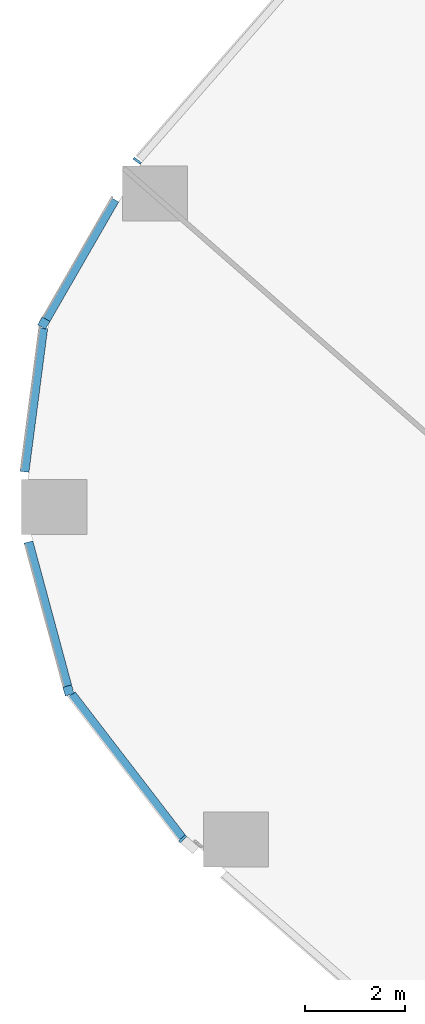
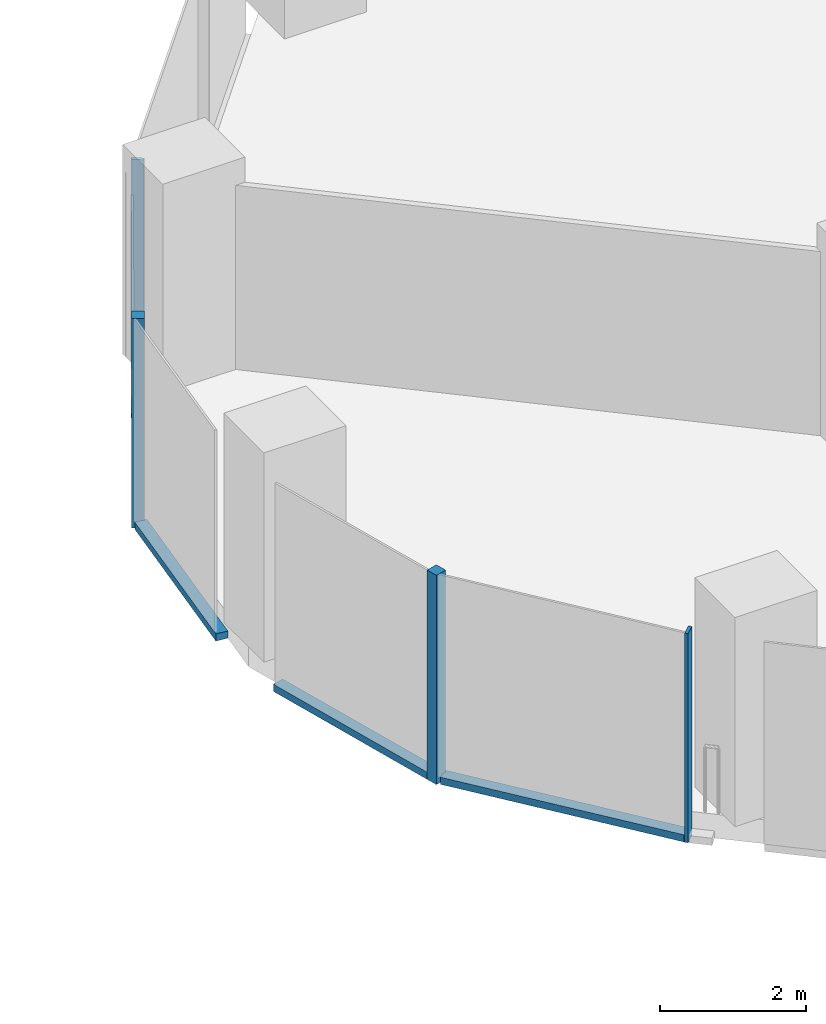
# One storey, part 3 of 38: 8 members, 5 elements without a shape of their own.
"""IFC4 building model written with IfcOpenShell, lengths in metres."""

from ifc_helpers import new_model, si_unit, direction, frame, origin, origin_2d, place, context, subcontext, project, spatial, rectangle, extrude, material, material_profile, profile_set, type_object, element, aggregate, save


model = new_model("IFC4")

# Units and contexts
model_context = context("Model", 3, precision=1e-05, world=origin(), true_north=direction((0.0, 1.0)))
body_context = subcontext(model_context, "Body", "Model", "MODEL_VIEW")
ifc_project = project(units=[si_unit("LENGTHUNIT", "METRE"), si_unit("AREAUNIT", "SQUARE_METRE"), si_unit("VOLUMEUNIT", "CUBIC_METRE"), si_unit("PLANEANGLEUNIT", "RADIAN"), si_unit("MASSUNIT", "GRAM", prefix="KILO")], contexts=[model_context])

# Site, building, storey
site_placement = place(None, origin())
site = spatial("IfcSite", under=ifc_project, at=site_placement, CompositionType="ELEMENT")
building_placement = place(site_placement, origin())
building = spatial("IfcBuilding", under=site, at=building_placement, Name="Orlundy Tower", CompositionType="ELEMENT")
storey_placement = place(building_placement, frame((0.0, 0.0, 65.800048828125)))
storey = spatial("IfcBuildingStorey", under=building, at=storey_placement, Name="L15", CompositionType="ELEMENT", Elevation=65.800048828125)

# Curtain wall, member
ifc_material_1 = material(Name="Aluminium bronze anodised", Category="aluminium")
curtain_wall_type = type_object("IfcCurtainWallType", Name="CW1 wall", PredefinedType="NOTDEFINED", material=ifc_material_1)
curtain_wall_1_placement = place(storey_placement, origin())
curtain_wall_1 = element("IfcCurtainWall", 1, at=curtain_wall_1_placement, inside=storey, type_object=curtain_wall_type, Name="CW1 run 09", PredefinedType="NOTDEFINED")
ifc_material_2 = material(Name="Aluminium bronze anodised", Category="aluminium")
ifc_material_profile_1 = material_profile(ifc_material_2, rectangle(XDim=0.179931640625, YDim=0.179931640625, at=origin_2d()), Name="CW1 corner post 180x180")
ifc_profile_set_1 = profile_set([ifc_material_profile_1], Name="Aluminium bronze anodised")
member_type_1 = type_object("IfcMemberType", Name="CW1 corner post 180x180", PredefinedType="MULLION", material=ifc_profile_set_1)
member_1_placement = place(storey_placement, frame((-49.413330078125, -34.982666015625, -0.400146484375), z_axis=(0.0, 0.0, 1.0), x_axis=(-0.965519317919, -0.260331417091, 0.0)))
member_1 = element("IfcMember", 2, at=member_1_placement, type_object=member_type_1, Name="CW1 mullion 23", PredefinedType="MULLION", context=body_context, shape_type="SweptSolid", body=[
    extrude(rectangle(XDim=0.179931640625, YDim=0.179931640625, at=origin_2d()), origin(), (0.0, 0.0, 1.0), 3.5),
])

curtain_wall_2_placement = place(storey_placement, origin())
curtain_wall_2 = element("IfcCurtainWall", 3, at=curtain_wall_2_placement, inside=storey, type_object=curtain_wall_type, Name="CW1 run 011", PredefinedType="NOTDEFINED")
member_2_placement = place(storey_placement, frame((-49.904052734375, -27.65869140625, -0.400146484375), z_axis=(0.0, 0.0, 1.0), x_axis=(-0.866845089361, 0.498577567738, 0.0)))
member_2 = element("IfcMember", 4, at=member_2_placement, type_object=member_type_1, Name="CW1 mullion 25", PredefinedType="MULLION", context=body_context, shape_type="SweptSolid", body=[
    extrude(rectangle(XDim=0.179931640625, YDim=0.179931640625, at=origin_2d()), origin(), (0.0, 0.0, 1.0), 3.5),
])

curtain_wall_3_placement = place(storey_placement, origin())
curtain_wall_3 = element("IfcCurtainWall", 5, at=curtain_wall_3_placement, inside=storey, type_object=curtain_wall_type, Name="CW1 run 08", PredefinedType="NOTDEFINED")
ifc_material_3 = material(Name="Aluminium bronze anodised", Category="aluminium")
ifc_material_profile_2 = material_profile(ifc_material_3, rectangle(XDim=0.179931640625, YDim=0.050048828125, at=origin_2d()), Name="CW1 mullion 50x180")
ifc_profile_set_2 = profile_set([ifc_material_profile_2], Name="Aluminium bronze anodised")
member_type_2 = type_object("IfcMemberType", Name="CW1 mullion 50x180", PredefinedType="MULLION", material=ifc_profile_set_2)
member_3_placement = place(storey_placement, frame((-47.135986328125, -37.94189453125, -0.400146484375), z_axis=(0.0, 0.0, 1.0), x_axis=(-0.728888590013, -0.684632327128, 0.0)))
member_3 = element("IfcMember", 6, at=member_3_placement, type_object=member_type_2, Name="CW1 mullion 22", PredefinedType="MULLION", context=body_context, shape_type="SweptSolid", body=[
    extrude(rectangle(XDim=0.179931640625, YDim=0.050048828125, at=origin_2d()), origin(), (0.0, 0.0, 1.0), 3.5),
])

curtain_wall_4_placement = place(storey_placement, origin())
curtain_wall_4 = element("IfcCurtainWall", 7, at=curtain_wall_4_placement, inside=storey, type_object=curtain_wall_type, Name="CW1 run 012", PredefinedType="NOTDEFINED")
member_4_placement = place(storey_placement, frame((-48.04248046875, -24.42236328125, -0.400146484375), z_axis=(0.0, 0.0, 1.0), x_axis=(-0.813739112089, 0.581230296402, 0.0)))
member_4 = element("IfcMember", 8, at=member_4_placement, type_object=member_type_2, Name="CW1 mullion 26", PredefinedType="MULLION", context=body_context, shape_type="SweptSolid", body=[
    extrude(rectangle(XDim=0.179931640625, YDim=0.050048828125, at=origin_2d()), origin(), (0.0, 0.0, 1.0), 3.5),
])
aggregate(curtain_wall_4, [member_4])

# Member
ifc_material_4 = material(Name="Aluminium bronze anodised", Category="aluminium")
ifc_material_profile_3 = material_profile(ifc_material_4, rectangle(XDim=0.179931640625, YDim=0.1201171875, at=origin_2d()), Name="CW1 transom 180x120")
ifc_profile_set_3 = profile_set([ifc_material_profile_3], Name="Aluminium bronze anodised")
member_type_3 = type_object("IfcMemberType", Name="CW1 transom 180x120", PredefinedType="USERDEFINED", material=ifc_profile_set_3)
member_5_placement = place(storey_placement, frame((-47.151123046875, -37.922119140625, -0.340087890625), z_axis=(-0.609861021509, 0.792508381309, 0.0), x_axis=(-0.792508381309, -0.609861021509, 0.0)))
member_5 = element("IfcMember", 9, at=member_5_placement, type_object=member_type_3, Name="CW1 transom", ObjectType="TRANSOM", PredefinedType="USERDEFINED", context=body_context, shape_type="SweptSolid", body=[
    extrude(rectangle(XDim=0.179931640625, YDim=0.1201171875, at=origin_2d()), origin(), (0.0, 0.0, 1.0), 3.61181640625),
])

aggregate(curtain_wall_3, [member_3, member_5])

member_6_placement = place(storey_placement, frame((-49.436767578125, -34.895751953125, -0.340087890625), z_axis=(-0.260276552613, 0.965534109268, 0.0), x_axis=(-0.965534109268, -0.260276552613, 0.0)))
member_6 = element("IfcMember", 10, at=member_6_placement, type_object=member_type_3, Name="CW1 transom", ObjectType="TRANSOM", PredefinedType="USERDEFINED", context=body_context, shape_type="SweptSolid", body=[
    extrude(rectangle(XDim=0.179931640625, YDim=0.1201171875, at=origin_2d()), origin(), (0.0, 0.0, 1.0), 2.975341796875),
])

aggregate(curtain_wall_1, [member_1, member_6])

# Curtain wall, member
curtain_wall_5_placement = place(storey_placement, origin())
curtain_wall_5 = element("IfcCurtainWall", 11, at=curtain_wall_5_placement, inside=storey, type_object=curtain_wall_type, Name="CW1 run 010", PredefinedType="NOTDEFINED")
member_7_placement = place(storey_placement, frame((-50.290283203125, -30.623046875, -0.340087890625), z_axis=(0.129238137404, 0.99161358595, 0.0), x_axis=(-0.99161358595, 0.129238137404, 0.0)))
member_7 = element("IfcMember", 12, at=member_7_placement, type_object=member_type_3, Name="CW1 transom", ObjectType="TRANSOM", PredefinedType="USERDEFINED", context=body_context, shape_type="SweptSolid", body=[
    extrude(rectangle(XDim=0.179931640625, YDim=0.1201171875, at=origin_2d()), origin(), (0.0, 0.0, 1.0), 2.89208984375),
])
aggregate(curtain_wall_5, [member_7])

# Member
member_8_placement = place(storey_placement, frame((-49.859130859375, -27.58056640625, -0.340087890625), z_axis=(0.498586294295, 0.866840070106, 0.0), x_axis=(-0.866840070106, 0.498586294295, 0.0)))
member_8 = element("IfcMember", 13, at=member_8_placement, type_object=member_type_3, Name="CW1 transom", ObjectType="TRANSOM", PredefinedType="USERDEFINED", context=body_context, shape_type="SweptSolid", body=[
    extrude(rectangle(XDim=0.179931640625, YDim=0.1201171875, at=origin_2d()), origin(), (0.0, 0.0, 1.0), 2.748046875),
])

aggregate(curtain_wall_2, [member_2, member_8])

save(model, "model.ifc")
